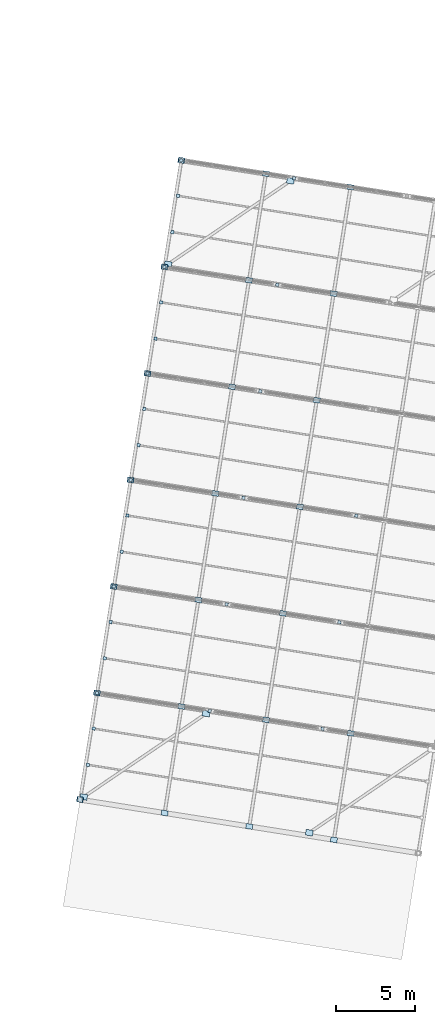
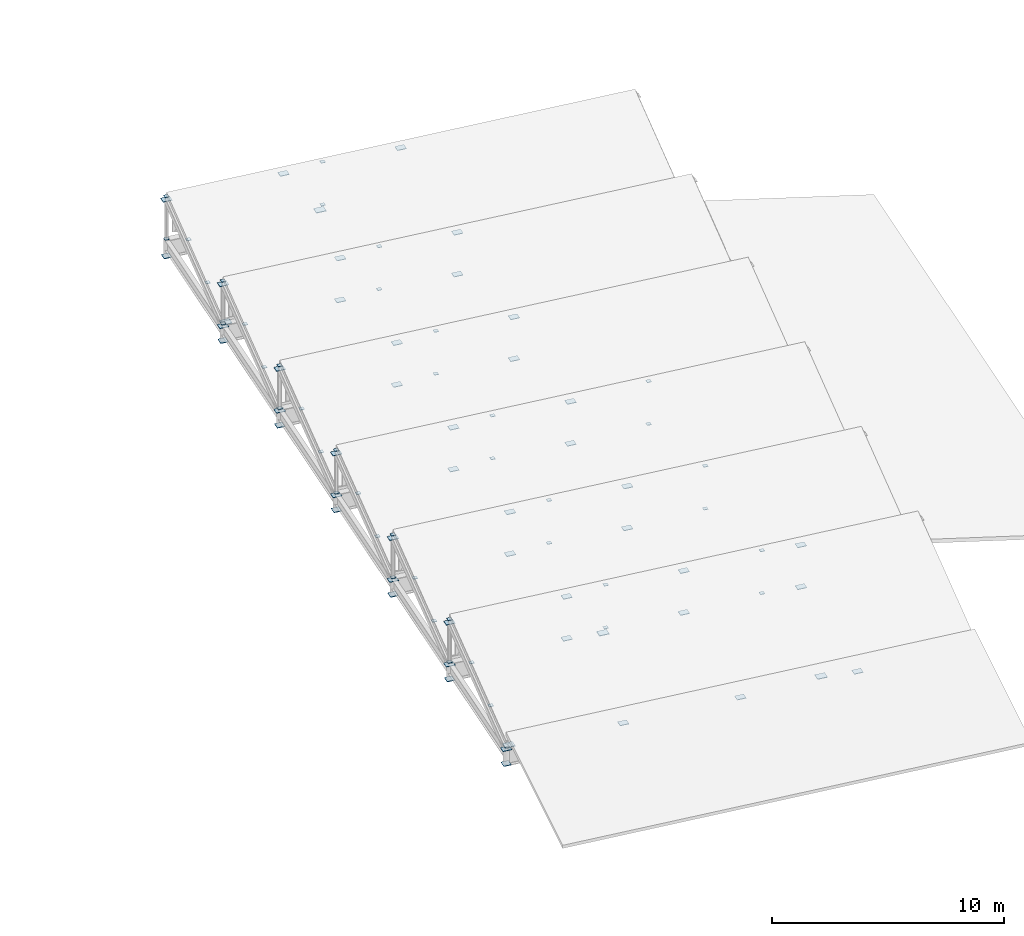
# One storey, part 61 of 65: 93 plates.
"""IFC4 building model written with IfcOpenShell, lengths in metres."""

from ifc_helpers import new_model, si_unit, direction, frame, origin, origin_2d, place, context, subcontext, project, spatial, rectangle, extrude, material, layer, layer_set, type_object, element, save


model = new_model("IFC4")

# Units and contexts
model_context = context("Model", 3, precision=1e-05, world=origin(), true_north=direction((0.0, 1.0)))
body_context = subcontext(model_context, "Body", "Model", "MODEL_VIEW")
ifc_project = project(units=[si_unit("LENGTHUNIT", "METRE"), si_unit("AREAUNIT", "SQUARE_METRE"), si_unit("VOLUMEUNIT", "CUBIC_METRE"), si_unit("PLANEANGLEUNIT", "RADIAN"), si_unit("MASSUNIT", "GRAM", prefix="KILO")], contexts=[model_context])

# Site, building, storey
site_placement = place(None, origin())
site = spatial("IfcSite", under=ifc_project, at=site_placement, CompositionType="ELEMENT")
building_placement = place(site_placement, origin())
building = spatial("IfcBuilding", under=site, at=building_placement, Name="Cinderway Yard Community Centre", CompositionType="ELEMENT")
storey_placement = place(building_placement, frame((0.0, 0.0, 24.300048828125)))
storey = spatial("IfcBuildingStorey", under=building, at=storey_placement, Name="RF", CompositionType="ELEMENT", Elevation=24.300048828125)

# Plates
ifc_material = material(Name="Steel S355", Category="steel")
ifc_layer_1 = layer(ifc_material, 0.02001953125, Name="Steel S355")
ifc_layer_set_1 = layer_set([ifc_layer_1], Name="Steel S355")
plate_type_1 = type_object("IfcPlateType", Name="STR-PLT-CAP200", PredefinedType="SHEET", material=ifc_layer_set_1)
for number, where, z_axis, x_axis, name in (
    (1, (119.06396484375, 44.716064453125, -10.510009765625), (0.0, 0.0, 1.0), (0.987688340595, -0.15643446504, 0.0), "Sawtooth post base B1-0"),
    (2, (119.06396484375, 44.716064453125, -8.260009765625), (0.0, 0.0, 1.0), (0.987688340595, -0.15643446504, 0.0), "Sawtooth post head B1-0"),
    (3, (126.175048828125, 43.590087890625, -10.510009765625), (0.0, 0.0, 1.0), (0.987688340595, -0.15643446504, 0.0), "Sawtooth post base B1-7"),
    (4, (126.175048828125, 43.590087890625, -8.260009765625), (0.0, 0.0, 1.0), (0.987688340595, -0.15643446504, 0.0), "Sawtooth post head B1-7"),
    (5, (133.285888671875, 42.464111328125, -10.510009765625), (0.0, 0.0, 1.0), (0.987688340595, -0.15643446504, 0.0), "Sawtooth post base B1-14"),
    (6, (133.285888671875, 42.464111328125, -8.260009765625), (0.0, 0.0, 1.0), (0.987688340595, -0.15643446504, 0.0), "Sawtooth post head B1-14"),
    (7, (118.4990234375, 40.193115234375, -9.85400390625), (0.0, 0.0, 1.0), (0.987688340595, -0.15643446504, 0.0), "Purlin W cap B1-33"),
    (8, (118.861083984375, 42.47607421875, -9.10595703125), (0.0, 0.0, 1.0), (0.987688340595, -0.15643446504, 0.0), "Purlin W cap B1-67"),
    (9, (120.1279296875, 51.43310546875, -10.510009765625), (0.0, 0.0, 1.0), (0.987688340595, -0.15643446504, 0.0), "Sawtooth post base B2-0"),
    (10, (120.1279296875, 51.43310546875, -8.260009765625), (0.0, 0.0, 1.0), (0.987688340595, -0.15643446504, 0.0), "Sawtooth post head B2-0"),
    (11, (127.239013671875, 50.305908203125, -10.510009765625), (0.0, 0.0, 1.0), (0.987688340595, -0.15643446504, 0.0), "Sawtooth post base B2-7"),
    (12, (127.239013671875, 50.305908203125, -8.260009765625), (0.0, 0.0, 1.0), (0.987688340595, -0.15643446504, 0.0), "Sawtooth post head B2-7"),
    (13, (134.35009765625, 49.179931640625, -10.510009765625), (0.0, 0.0, 1.0), (0.987688340595, -0.15643446504, 0.0), "Sawtooth post base B2-14"),
    (14, (134.35009765625, 49.179931640625, -8.260009765625), (0.0, 0.0, 1.0), (0.987688340595, -0.15643446504, 0.0), "Sawtooth post head B2-14"),
    (15, (119.56298828125, 46.908935546875, -9.85400390625), (0.0, 0.0, 1.0), (0.987688340595, -0.15643446504, 0.0), "Purlin W cap B2-33"),
    (16, (119.925048828125, 49.193115234375, -9.10595703125), (0.0, 0.0, 1.0), (0.987688340595, -0.15643446504, 0.0), "Purlin W cap B2-67"),
    (17, (121.19091796875, 58.14892578125, -10.510009765625), (0.0, 0.0, 1.0), (0.987688340595, -0.15643446504, 0.0), "Sawtooth post base B3-0"),
    (18, (121.19091796875, 58.14892578125, -8.260009765625), (0.0, 0.0, 1.0), (0.987688340595, -0.15643446504, 0.0), "Sawtooth post head B3-0"),
    (19, (128.302978515625, 57.02294921875, -10.510009765625), (0.0, 0.0, 1.0), (0.987688340595, -0.15643446504, 0.0), "Sawtooth post base B3-7"),
    (20, (128.302978515625, 57.02294921875, -8.260009765625), (0.0, 0.0, 1.0), (0.987688340595, -0.15643446504, 0.0), "Sawtooth post head B3-7"),
    (21, (135.4140625, 55.89599609375, -10.510009765625), (0.0, 0.0, 1.0), (0.987688340595, -0.15643446504, 0.0), "Sawtooth post base B3-14"),
    (22, (135.4140625, 55.89599609375, -8.260009765625), (0.0, 0.0, 1.0), (0.987688340595, -0.15643446504, 0.0), "Sawtooth post head B3-14"),
    (23, (120.626953125, 53.625, -9.85400390625), (0.0, 0.0, 1.0), (0.987688340595, -0.15643446504, 0.0), "Purlin W cap B3-33"),
    (24, (120.988037109375, 55.908935546875, -9.10595703125), (0.0, 0.0, 1.0), (0.987688340595, -0.15643446504, 0.0), "Purlin W cap B3-67"),
    (25, (122.2548828125, 64.864990234375, -10.510009765625), (0.0, 0.0, 1.0), (0.987688340595, -0.15643446504, 0.0), "Sawtooth post base B4-0"),
    (26, (122.2548828125, 64.864990234375, -8.260009765625), (0.0, 0.0, 1.0), (0.987688340595, -0.15643446504, 0.0), "Sawtooth post head B4-0"),
    (27, (129.365966796875, 63.739013671875, -10.510009765625), (0.0, 0.0, 1.0), (0.987688340595, -0.15643446504, 0.0), "Sawtooth post base B4-7"),
    (28, (129.365966796875, 63.739013671875, -8.260009765625), (0.0, 0.0, 1.0), (0.987688340595, -0.15643446504, 0.0), "Sawtooth post head B4-7"),
    (29, (121.68994140625, 60.342041015625, -9.85400390625), (0.0, 0.0, 1.0), (0.987688340595, -0.15643446504, 0.0), "Purlin W cap B4-33"),
    (30, (122.052001953125, 62.625, -9.10595703125), (0.0, 0.0, 1.0), (0.987688340595, -0.15643446504, 0.0), "Purlin W cap B4-67"),
    (31, (123.319091796875, 71.5810546875, -10.510009765625), (0.0, 0.0, 1.0), (0.987688340595, -0.15643446504, 0.0), "Sawtooth post base B5-0"),
    (32, (123.319091796875, 71.5810546875, -8.260009765625), (0.0, 0.0, 1.0), (0.987688340595, -0.15643446504, 0.0), "Sawtooth post head B5-0"),
    (33, (130.429931640625, 70.455078125, -10.510009765625), (0.0, 0.0, 1.0), (0.987688340595, -0.15643446504, 0.0), "Sawtooth post base B5-7"),
    (34, (130.429931640625, 70.455078125, -8.260009765625), (0.0, 0.0, 1.0), (0.987688340595, -0.15643446504, 0.0), "Sawtooth post head B5-7"),
    (35, (122.75390625, 67.05810546875, -9.85400390625), (0.0, 0.0, 1.0), (0.987688340595, -0.15643446504, 0.0), "Purlin W cap B5-33"),
    (36, (123.115966796875, 69.342041015625, -9.10595703125), (0.0, 0.0, 1.0), (0.987688340595, -0.15643446504, 0.0), "Purlin W cap B5-67"),
    (37, (124.383056640625, 78.298095703125, -10.510009765625), (0.0, 0.0, 1.0), (0.987688340595, -0.15643446504, 0.0), "Sawtooth post base B6-0"),
    (38, (124.383056640625, 78.298095703125, -8.260009765625), (0.0, 0.0, 1.0), (0.987688340595, -0.15643446504, 0.0), "Sawtooth post head B6-0"),
    (39, (131.493896484375, 77.1708984375, -10.510009765625), (0.0, 0.0, 1.0), (0.987688340595, -0.15643446504, 0.0), "Sawtooth post base B6-7"),
    (40, (131.493896484375, 77.1708984375, -8.260009765625), (0.0, 0.0, 1.0), (0.987688340595, -0.15643446504, 0.0), "Sawtooth post head B6-7"),
    (41, (123.818115234375, 73.77392578125, -9.85400390625), (0.0, 0.0, 1.0), (0.987688340595, -0.15643446504, 0.0), "Purlin W cap B6-33"),
    (42, (124.179931640625, 76.05810546875, -9.10595703125), (0.0, 0.0, 1.0), (0.987688340595, -0.15643446504, 0.0), "Purlin W cap B6-67"),
):
    element("IfcPlate", number, at=place(storey_placement, frame(where, z_axis=z_axis, x_axis=x_axis)), inside=storey, type_object=plate_type_1, Name=name, PredefinedType="SHEET", context=body_context, shape_type="SweptSolid", body=[
        extrude(rectangle(XDim=0.199951171875, YDim=0.199951171875, at=origin_2d()), origin(), (0.0, 0.0, 1.0), 0.02001953125),
    ])
ifc_layer_2 = layer(ifc_material, 0.02490234375, Name="Steel S355")
ifc_layer_set_2 = layer_set([ifc_layer_2], Name="Steel S355")
plate_type_2 = type_object("IfcPlateType", Name="STR-PLT-CAP340", PredefinedType="SHEET", material=ifc_layer_set_2)
for number, where, z_axis, x_axis, name in (
    (43, (118.0, 38.0, -11.41259765625), (0.0, 0.0, 1.0), (0.987688340595, -0.15643446504, 0.0), "Sports post base cap W01"),
    (44, (119.06396484375, 44.716064453125, -11.41259765625), (0.0, 0.0, 1.0), (0.987688340595, -0.15643446504, 0.0), "Sports post base cap W02"),
    (45, (120.1279296875, 51.43310546875, -11.41259765625), (0.0, 0.0, 1.0), (0.987688340595, -0.15643446504, 0.0), "Sports post base cap W03"),
    (46, (121.19091796875, 58.14892578125, -11.41259765625), (0.0, 0.0, 1.0), (0.987688340595, -0.15643446504, 0.0), "Sports post base cap W04"),
    (47, (122.2548828125, 64.864990234375, -11.41259765625), (0.0, 0.0, 1.0), (0.987688340595, -0.15643446504, 0.0), "Sports post base cap W05"),
    (48, (123.319091796875, 71.5810546875, -11.41259765625), (0.0, 0.0, 1.0), (0.987688340595, -0.15643446504, 0.0), "Sports post base cap W06"),
    (49, (124.383056640625, 78.298095703125, -11.41259765625), (0.0, 0.0, 1.0), (0.987688340595, -0.15643446504, 0.0), "Sports post base cap W07"),
):
    element("IfcPlate", number, at=place(storey_placement, frame(where, z_axis=z_axis, x_axis=x_axis)), inside=storey, type_object=plate_type_2, Name=name, PredefinedType="SHEET", context=body_context, shape_type="SweptSolid", body=[
        extrude(rectangle(XDim=0.35009765625, YDim=0.35009765625, at=origin_2d()), origin(), (0.0, 0.0, 1.0), 0.02490234375),
    ])
ifc_layer_3 = layer(ifc_material, 0.02392578125, Name="Steel S355")
ifc_layer_set_3 = layer_set([ifc_layer_3], Name="Steel S355")
plate_type_3 = type_object("IfcPlateType", Name="STR-PLT-GUSSET", PredefinedType="SHEET", material=ifc_layer_set_3)
for number, where, z_axis, x_axis, name in (
    (50, (118.0, 38.0, -10.632080078125), (0.0, 0.0, 1.0), (0.987688340595, -0.15643446504, 0.0), "Rafter foot cap B1-0"),
    (51, (119.06396484375, 44.716064453125, -8.43212890625), (0.0, 0.0, 1.0), (0.987688340595, -0.15643446504, 0.0), "Rafter apex cap B1-0"),
    (52, (123.333984375, 37.155029296875, -10.632080078125), (0.0, 0.0, 1.0), (0.987688340595, -0.15643446504, 0.0), "Rafter foot cap B1-5"),
    (53, (124.39697265625, 43.8720703125, -8.43212890625), (0.0, 0.0, 1.0), (0.987688340595, -0.15643446504, 0.0), "Rafter apex cap B1-5"),
    (54, (128.6669921875, 36.31103515625, -10.632080078125), (0.0, 0.0, 1.0), (0.987688340595, -0.15643446504, 0.0), "Rafter foot cap B1-10"),
    (55, (129.73095703125, 43.027099609375, -8.43212890625), (0.0, 0.0, 1.0), (0.987688340595, -0.15643446504, 0.0), "Rafter apex cap B1-10"),
    (56, (134.0009765625, 35.466064453125, -10.632080078125), (0.0, 0.0, 1.0), (0.987688340595, -0.15643446504, 0.0), "Rafter foot cap B1-16"),
    (57, (135.06396484375, 42.181884765625, -8.43212890625), (0.0, 0.0, 1.0), (0.987688340595, -0.15643446504, 0.0), "Rafter apex cap B1-16"),
    (58, (119.06396484375, 44.716064453125, -10.632080078125), (0.0, 0.0, 1.0), (0.987688340595, -0.15643446504, 0.0), "Rafter foot cap B2-0"),
    (59, (120.1279296875, 51.43310546875, -8.43212890625), (0.0, 0.0, 1.0), (0.987688340595, -0.15643446504, 0.0), "Rafter apex cap B2-0"),
    (60, (124.39697265625, 43.8720703125, -10.632080078125), (0.0, 0.0, 1.0), (0.987688340595, -0.15643446504, 0.0), "Rafter foot cap B2-5"),
    (61, (125.4609375, 50.587890625, -8.43212890625), (0.0, 0.0, 1.0), (0.987688340595, -0.15643446504, 0.0), "Rafter apex cap B2-5"),
    (62, (129.73095703125, 43.027099609375, -10.632080078125), (0.0, 0.0, 1.0), (0.987688340595, -0.15643446504, 0.0), "Rafter foot cap B2-10"),
    (63, (130.794921875, 49.742919921875, -8.43212890625), (0.0, 0.0, 1.0), (0.987688340595, -0.15643446504, 0.0), "Rafter apex cap B2-10"),
    (64, (135.06396484375, 42.181884765625, -10.632080078125), (0.0, 0.0, 1.0), (0.987688340595, -0.15643446504, 0.0), "Rafter foot cap B2-16"),
    (65, (120.1279296875, 51.43310546875, -10.632080078125), (0.0, 0.0, 1.0), (0.987688340595, -0.15643446504, 0.0), "Rafter foot cap B3-0"),
    (66, (121.19091796875, 58.14892578125, -8.43212890625), (0.0, 0.0, 1.0), (0.987688340595, -0.15643446504, 0.0), "Rafter apex cap B3-0"),
    (67, (125.4609375, 50.587890625, -10.632080078125), (0.0, 0.0, 1.0), (0.987688340595, -0.15643446504, 0.0), "Rafter foot cap B3-5"),
    (68, (126.52490234375, 57.303955078125, -8.43212890625), (0.0, 0.0, 1.0), (0.987688340595, -0.15643446504, 0.0), "Rafter apex cap B3-5"),
    (69, (130.794921875, 49.742919921875, -10.632080078125), (0.0, 0.0, 1.0), (0.987688340595, -0.15643446504, 0.0), "Rafter foot cap B3-10"),
    (70, (131.85791015625, 56.458984375, -8.43212890625), (0.0, 0.0, 1.0), (0.987688340595, -0.15643446504, 0.0), "Rafter apex cap B3-10"),
    (71, (121.19091796875, 58.14892578125, -10.632080078125), (0.0, 0.0, 1.0), (0.987688340595, -0.15643446504, 0.0), "Rafter foot cap B4-0"),
    (72, (122.2548828125, 64.864990234375, -8.43212890625), (0.0, 0.0, 1.0), (0.987688340595, -0.15643446504, 0.0), "Rafter apex cap B4-0"),
    (73, (126.52490234375, 57.303955078125, -10.632080078125), (0.0, 0.0, 1.0), (0.987688340595, -0.15643446504, 0.0), "Rafter foot cap B4-5"),
    (74, (127.589111328125, 64.02001953125, -8.43212890625), (0.0, 0.0, 1.0), (0.987688340595, -0.15643446504, 0.0), "Rafter apex cap B4-5"),
    (75, (131.85791015625, 56.458984375, -10.632080078125), (0.0, 0.0, 1.0), (0.987688340595, -0.15643446504, 0.0), "Rafter foot cap B4-10"),
    (76, (132.922119140625, 63.176025390625, -8.43212890625), (0.0, 0.0, 1.0), (0.987688340595, -0.15643446504, 0.0), "Rafter apex cap B4-10"),
    (77, (122.2548828125, 64.864990234375, -10.632080078125), (0.0, 0.0, 1.0), (0.987688340595, -0.15643446504, 0.0), "Rafter foot cap B5-0"),
    (78, (123.319091796875, 71.5810546875, -8.43212890625), (0.0, 0.0, 1.0), (0.987688340595, -0.15643446504, 0.0), "Rafter apex cap B5-0"),
    (79, (127.589111328125, 64.02001953125, -10.632080078125), (0.0, 0.0, 1.0), (0.987688340595, -0.15643446504, 0.0), "Rafter foot cap B5-5"),
    (80, (128.652099609375, 70.737060546875, -8.43212890625), (0.0, 0.0, 1.0), (0.987688340595, -0.15643446504, 0.0), "Rafter apex cap B5-5"),
    (81, (132.922119140625, 63.176025390625, -10.632080078125), (0.0, 0.0, 1.0), (0.987688340595, -0.15643446504, 0.0), "Rafter foot cap B5-10"),
    (82, (133.986083984375, 69.89208984375, -8.43212890625), (0.0, 0.0, 1.0), (0.987688340595, -0.15643446504, 0.0), "Rafter apex cap B5-10"),
    (83, (123.319091796875, 71.5810546875, -10.632080078125), (0.0, 0.0, 1.0), (0.987688340595, -0.15643446504, 0.0), "Rafter foot cap B6-0"),
    (84, (124.383056640625, 78.298095703125, -8.43212890625), (0.0, 0.0, 1.0), (0.987688340595, -0.15643446504, 0.0), "Rafter apex cap B6-0"),
    (85, (128.652099609375, 70.737060546875, -10.632080078125), (0.0, 0.0, 1.0), (0.987688340595, -0.15643446504, 0.0), "Rafter foot cap B6-5"),
    (86, (129.716064453125, 77.452880859375, -8.43212890625), (0.0, 0.0, 1.0), (0.987688340595, -0.15643446504, 0.0), "Rafter apex cap B6-5"),
    (87, (133.986083984375, 69.89208984375, -10.632080078125), (0.0, 0.0, 1.0), (0.987688340595, -0.15643446504, 0.0), "Rafter foot cap B6-10"),
    (88, (135.050048828125, 76.60791015625, -8.43212890625), (0.0, 0.0, 1.0), (0.987688340595, -0.15643446504, 0.0), "Rafter apex cap B6-10"),
):
    element("IfcPlate", number, at=place(storey_placement, frame(where, z_axis=z_axis, x_axis=x_axis)), inside=storey, type_object=plate_type_3, Name=name, PredefinedType="SHEET", context=body_context, shape_type="SweptSolid", body=[
        extrude(rectangle(XDim=0.419921875, YDim=0.320068359375, at=origin_2d()), origin(), (0.0, 0.0, 1.0), 0.02392578125),
    ])
ifc_layer_4 = layer(ifc_material, 0.030029296875, Name="Steel S355")
ifc_layer_set_4 = layer_set([ifc_layer_4], Name="Steel S355")
plate_type_4 = type_object("IfcPlateType", Name="STR-PLT-SHOE", PredefinedType="SHEET", material=ifc_layer_set_4)
for number, where, z_axis, x_axis, name in (
    (89, (118.22900390625, 38.166015625, -10.615234375), (0.0, 0.0, 1.0), (0.987688340595, -0.15643446504, 0.0), "Brace gusset 1WA"),
    (90, (125.946044921875, 43.424072265625, -10.615234375), (0.0, 0.0, 1.0), (0.987688340595, -0.15643446504, 0.0), "Brace gusset 1WB"),
    (91, (132.451904296875, 35.9140625, -10.615234375), (0.0, 0.0, 1.0), (0.987688340595, -0.15643446504, 0.0), "Brace gusset 1EA"),
    (92, (123.548095703125, 71.748046875, -10.615234375), (0.0, 0.0, 1.0), (0.987688340595, -0.15643446504, 0.0), "Brace gusset 6WA"),
    (93, (131.264892578125, 77.0048828125, -10.615234375), (0.0, 0.0, 1.0), (0.987688340595, -0.15643446504, 0.0), "Brace gusset 6WB"),
):
    element("IfcPlate", number, at=place(storey_placement, frame(where, z_axis=z_axis, x_axis=x_axis)), inside=storey, type_object=plate_type_4, Name=name, PredefinedType="SHEET", context=body_context, shape_type="SweptSolid", body=[
        extrude(rectangle(XDim=0.4599609375, YDim=0.360107421875, at=origin_2d()), origin(), (0.0, 0.0, 1.0), 0.030029296875),
    ])

save(model, "model.ifc")
